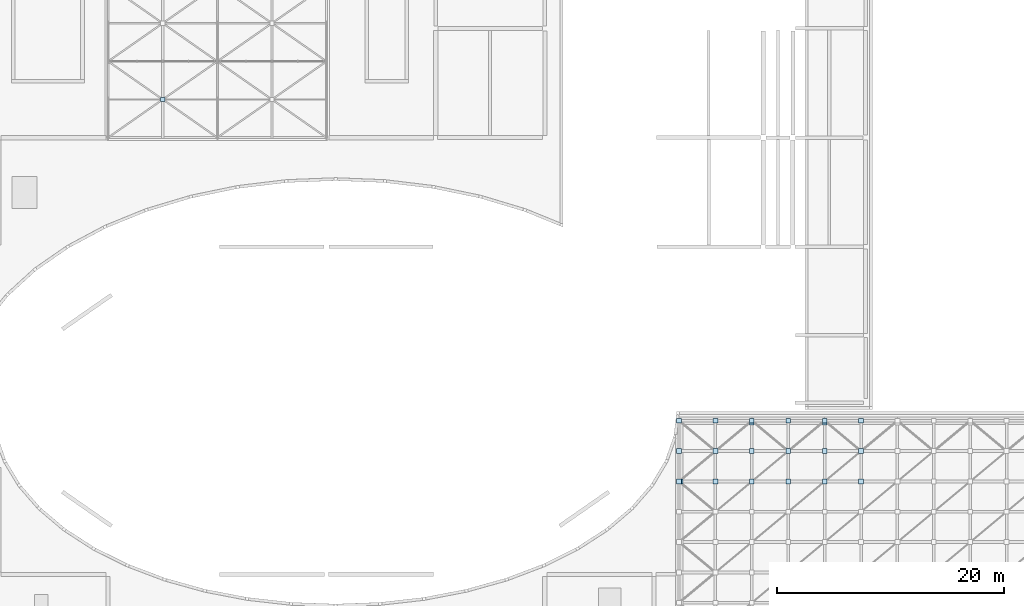
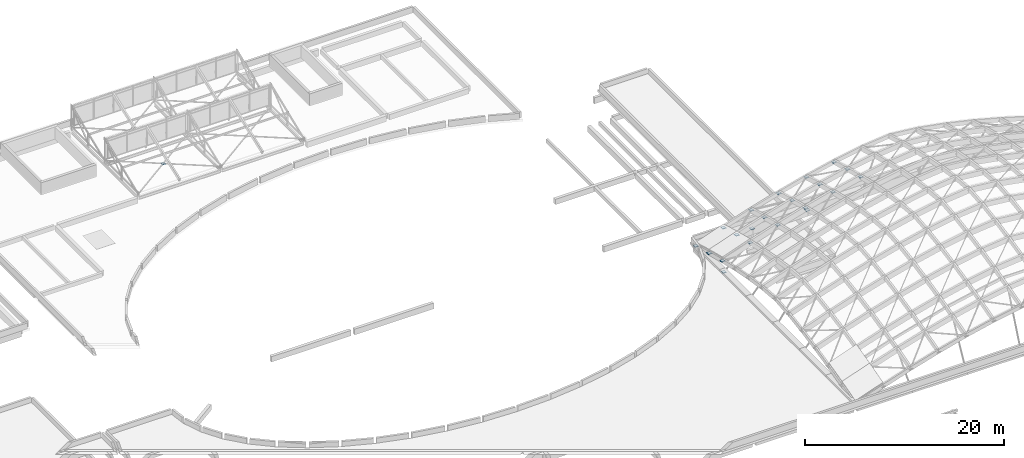
# One storey, part 34 of 40: 22 plates.
"""IFC4 building model written with IfcOpenShell, lengths in metres."""

import ifcopenshell
import ifcopenshell.guid

model = None  # the IFC model being written
_history = None  # IfcOwnerHistory: only IFC2X3 demands one
_inside = {}  # id of a spatial element -> (the spatial element, [elements in it])
_under = {}  # id of a project, library or spatial element -> (it, [spatial elements below it])
_declared = {}  # id of a project -> (the project, [libraries it declares])
_typed = {}  # id of a type object -> (the type object, [elements of that type])
_made_of = {}  # id of a material, layer set ... -> (it, [elements and type objects made of it])


def new_model(schema):
    """Start an empty IFC model of exactly this schema.

    Asked for "IFC4X3", IfcOpenShell would pick the latest addendum, in which some entities
    have other attributes; the version numbers below select the first issue.
    IFC2X3 requires an IfcOwnerHistory on every rooted entity: one is made here for all.
    """
    global model, _history
    if schema == "IFC4X3":
        model = ifcopenshell.file(schema_version=(4, 3, 0, 0))
    else:
        model = ifcopenshell.file(schema=schema)
    _inside.clear()
    _under.clear()
    _declared.clear()
    _typed.clear()
    _made_of.clear()
    _history = None
    if model.schema == "IFC2X3":
        org = make("IfcOrganization", Name="unknown")
        user = make(
            "IfcPersonAndOrganization",
            ThePerson=make("IfcPerson", FamilyName="unknown"),
            TheOrganization=org,
        )
        app = make(
            "IfcApplication",
            ApplicationDeveloper=org,
            Version="unknown",
            ApplicationFullName="unknown",
            ApplicationIdentifier="unknown",
        )
        _history = make(
            "IfcOwnerHistory",
            OwningUser=user,
            OwningApplication=app,
            ChangeAction="ADDED",
            CreationDate=0,
        )
    return model


def make(cls, **values):
    """One entity of the class cls with the attributes given. An attribute that is None is left unset."""
    return model.create_entity(
        cls, **{name: value for name, value in values.items() if value is not None}
    )


def rooted(cls, **values):
    """An entity with a GlobalId (a new one), such as an element, a storey or a relation."""
    return make(cls, GlobalId=ifcopenshell.guid.new(), OwnerHistory=_history, **values)


def si_unit(unit_type, name, prefix=None):
    """IfcSIUnit, for example si_unit("LENGTHUNIT", "METRE", prefix="MILLI")."""
    return make("IfcSIUnit", UnitType=unit_type, Prefix=prefix, Name=name)


def assignment(units):
    """IfcUnitAssignment: the units of a project."""
    return None if units is None else make("IfcUnitAssignment", Units=units)


def point(xyz):
    """IfcCartesianPoint."""
    return None if xyz is None else make("IfcCartesianPoint", Coordinates=xyz)


def direction(xyz):
    """IfcDirection."""
    return None if xyz is None else make("IfcDirection", DirectionRatios=xyz)


def frame(location, z_axis=None, x_axis=None):
    """IfcAxis2Placement3D, a coordinate frame: its origin and axes. An axis left out is left unset."""
    return make(
        "IfcAxis2Placement3D",
        Location=point(location),
        Axis=direction(z_axis),
        RefDirection=direction(x_axis),
    )


def frame_2d(location, x_axis=None):
    """IfcAxis2Placement2D, a coordinate frame in the plane: its origin and x axis."""
    return make(
        "IfcAxis2Placement2D", Location=point(location), RefDirection=direction(x_axis)
    )


def origin():
    """The frame at (0, 0, 0) with its axes left unset."""
    return frame((0.0, 0.0, 0.0))


def origin_2d():
    """The frame at (0, 0) in the plane with its x axis left unset."""
    return frame_2d((0.0, 0.0))


def place(relative_to, where):
    """IfcLocalPlacement: puts the frame where relative to a parent placement (None: the world)."""
    return make(
        "IfcLocalPlacement", PlacementRelTo=relative_to, RelativePlacement=where
    )


def context(
    kind, dimensions, precision=None, world=None, true_north=None, identifier=None
):
    """IfcGeometricRepresentationContext, for example the 3D "Model" context."""
    return make(
        "IfcGeometricRepresentationContext",
        ContextIdentifier=identifier,
        ContextType=kind,
        CoordinateSpaceDimension=dimensions,
        Precision=precision,
        WorldCoordinateSystem=world,
        TrueNorth=true_north,
    )


def subcontext(parent, identifier, kind, view, scale=None):
    """IfcGeometricRepresentationSubContext, for example "Body" below "Model"."""
    return make(
        "IfcGeometricRepresentationSubContext",
        ContextIdentifier=identifier,
        ContextType=kind,
        ParentContext=parent,
        TargetScale=scale,
        TargetView=view,
    )


def project(units=None, contexts=None):
    """IfcProject with its units and contexts."""
    return rooted(
        "IfcProject",
        Name="project",
        RepresentationContexts=contexts,
        UnitsInContext=assignment(units),
    )


def spatial(cls, under=None, at=None, **own):
    """A site, building, storey or space (cls), placed at a placement, below another one or the project."""
    s = rooted(cls, ObjectPlacement=at, **own)
    if under is not None:
        _under.setdefault(under.id(), (under, []))[1].append(s)
    return s


def profile(cls, at=None, kind="AREA", **sizes):
    """A parametric profile (cls). Its sizes go by their IFC names, for example OverallWidth=200.0."""
    return make(cls, ProfileType=kind, Position=at, **sizes)


def rectangle(**sizes):
    """IfcRectangleProfileDef."""
    return profile("IfcRectangleProfileDef", **sizes)


def extrude(swept, where, along, depth):
    """IfcExtrudedAreaSolid: the profile swept, set in the frame where, extruded along a direction by depth."""
    return make(
        "IfcExtrudedAreaSolid",
        SweptArea=swept,
        Position=where,
        ExtrudedDirection=direction(along),
        Depth=depth,
    )


def shape(context_of_items, identifier, shape_type, items):
    """IfcShapeRepresentation: the items that make up one representation, for example the "Body"."""
    return make(
        "IfcShapeRepresentation",
        ContextOfItems=context_of_items,
        RepresentationIdentifier=identifier,
        RepresentationType=shape_type,
        Items=items,
    )


def material(Name=None, Category=None):
    """IfcMaterial."""
    return make("IfcMaterial", Name=Name, Category=Category)


def layer(
    of_material, thickness, ventilated=None, Name=None, Category=None, Priority=None
):
    """IfcMaterialLayer: one layer of a wall or slab, of a material (None: an air gap)."""
    return make(
        "IfcMaterialLayer",
        Material=of_material,
        LayerThickness=thickness,
        IsVentilated=ventilated,
        Name=Name,
        Category=Category,
        Priority=Priority,
    )


def layer_set(layers, Name=None):
    """IfcMaterialLayerSet."""
    return make("IfcMaterialLayerSet", MaterialLayers=layers, LayerSetName=Name)


def made_of(thing, what):
    """Note that an element or type object is made of a material, layer set ...; save() writes the relation."""
    if what is not None:
        _made_of.setdefault(what.id(), (what, []))[1].append(thing)
    return thing


def type_object(cls, material=None, **own):
    """A type object (cls), such as IfcWallType, which elements share."""
    return made_of(rooted(cls, **own), material)


def element(
    cls,
    number,
    at=None,
    inside=None,
    cuts=None,
    type_object=None,
    material=None,
    context=None,
    identifier="Body",
    shape_type=None,
    held_by="IfcProductDefinitionShape",
    body=None,
    shapes=None,
    **own,
):
    """One element of the class cls, such as IfcWall. Its Tag is "e" and its number.

    at: its placement. inside: the storey or other place that contains it. cuts: it is an
    opening in that element (IfcRelVoidsElement). A single representation is given by context,
    identifier, shape_type and body (its items); several are given by shapes. held_by: the class
    of the entity that holds the representations. save() writes the other relations.
    """
    e = rooted(cls, Tag="e%d" % number, ObjectPlacement=at, **own)
    if body is not None:
        shapes = [shape(context, identifier, shape_type, body)]
    if shapes is not None:
        e.Representation = make(held_by, Representations=shapes)
    if inside is not None:
        _inside.setdefault(inside.id(), (inside, []))[1].append(e)
    if cuts is not None:
        rooted(
            "IfcRelVoidsElement", RelatingBuildingElement=cuts, RelatedOpeningElement=e
        )
    if type_object is not None:
        _typed.setdefault(type_object.id(), (type_object, []))[1].append(e)
    return made_of(e, material)


def aggregate(whole, parts):
    """IfcRelAggregates: a whole, such as a stair, and the parts it consists of."""
    return rooted("IfcRelAggregates", RelatingObject=whole, RelatedObjects=parts)


def save(model, path):
    """Write the relations noted so far, then the file.

    IfcRelAggregates (storeys below a building ...), IfcRelContainedInSpatialStructure (elements
    in a storey), IfcRelDefinesByType, IfcRelAssociatesMaterial and IfcRelDeclares: one each for
    every whole, place, type object, material and project.
    """
    for whole, parts in _under.values():
        aggregate(whole, parts)
    for where, things in _inside.values():
        rooted(
            "IfcRelContainedInSpatialStructure",
            RelatedElements=things,
            RelatingStructure=where,
        )
    for kind, things in _typed.values():
        rooted("IfcRelDefinesByType", RelatedObjects=things, RelatingType=kind)
    for what, things in _made_of.values():
        rooted("IfcRelAssociatesMaterial", RelatedObjects=things, RelatingMaterial=what)
    for by, libraries in _declared.values():
        rooted("IfcRelDeclares", RelatingContext=by, RelatedDefinitions=libraries)
    model.write(path)


model = new_model("IFC4")

# Units and contexts
model_context = context("Model", 3, precision=1e-05, world=origin(), true_north=direction((0.0, 1.0)))
body_context = subcontext(model_context, "Body", "Model", "MODEL_VIEW")
ifc_project = project(units=[si_unit("LENGTHUNIT", "METRE"), si_unit("AREAUNIT", "SQUARE_METRE"), si_unit("VOLUMEUNIT", "CUBIC_METRE"), si_unit("PLANEANGLEUNIT", "RADIAN"), si_unit("MASSUNIT", "GRAM", prefix="KILO")], contexts=[model_context])

# Site, building, storey
site_placement = place(None, origin())
site = spatial("IfcSite", under=ifc_project, at=site_placement, CompositionType="ELEMENT")
building_placement = place(site_placement, origin())
building = spatial("IfcBuilding", under=site, at=building_placement, Name="Mzevani Central Library", CompositionType="ELEMENT")
storey_placement = place(building_placement, frame((0.0, 0.0, 26.699951171875)))
storey = spatial("IfcBuildingStorey", under=building, at=storey_placement, Name="RF", CompositionType="ELEMENT", Elevation=26.699951171875)

# Plates
ifc_material = material(Name="Steel S355J2", Category="steel")
ifc_layer_1 = layer(ifc_material, 0.02001953125, Name="Gridshell Hub Gusset Plate 20")
ifc_layer_set_1 = layer_set([ifc_layer_1], Name="Steel S355J2")
plate_type_1 = type_object("IfcPlateType", Name="Gridshell Hub Gusset Plate 20", PredefinedType="SHEET", material=ifc_layer_set_1)
for number, where, z_axis, x_axis, name in (
    (1, (114.199951171875, 69.7666015625, -11.53759765625), (0.0, 0.0, 1.0), (1.0, 0.0, 0.0), "RF Gridshell Hub Gusset Node 1.11"),
    (2, (114.199951171875, 72.433349609375, -12.216552734375), (0.0, 0.0, 1.0), (1.0, 0.0, 0.0), "RF Gridshell Hub Gusset Node 1.12"),
    (3, (114.199951171875, 75.10009765625, -12.9599609375), (0.0, 0.0, 1.0), (1.0, 0.0, 0.0), "RF Gridshell Hub Gusset Node 1.13"),
    (4, (117.39990234375, 69.7666015625, -10.415771484375), (0.0, 0.0, 1.0), (1.0, 0.0, 0.0), "RF Gridshell Hub Gusset Node 2.11"),
    (5, (117.39990234375, 72.433349609375, -11.094970703125), (0.0, 0.0, 1.0), (1.0, 0.0, 0.0), "RF Gridshell Hub Gusset Node 2.12"),
    (6, (117.39990234375, 75.10009765625, -11.83837890625), (0.0, 0.0, 1.0), (1.0, 0.0, 0.0), "RF Gridshell Hub Gusset Node 2.13"),
    (7, (120.60009765625, 69.7666015625, -9.37548828125), (0.0, 0.0, 1.0), (1.0, 0.0, 0.0), "RF Gridshell Hub Gusset Node 3.11"),
    (8, (120.60009765625, 72.433349609375, -10.054443359375), (0.0, 0.0, 1.0), (1.0, 0.0, 0.0), "RF Gridshell Hub Gusset Node 3.12"),
    (9, (120.60009765625, 75.10009765625, -10.7978515625), (0.0, 0.0, 1.0), (1.0, 0.0, 0.0), "RF Gridshell Hub Gusset Node 3.13"),
    (10, (123.800048828125, 69.7666015625, -8.425048828125), (0.0, 0.0, 1.0), (1.0, 0.0, 0.0), "RF Gridshell Hub Gusset Node 4.11"),
    (11, (123.800048828125, 72.433349609375, -9.104248046875), (0.0, 0.0, 1.0), (1.0, 0.0, 0.0), "RF Gridshell Hub Gusset Node 4.12"),
    (12, (123.800048828125, 75.10009765625, -9.84765625), (0.0, 0.0, 1.0), (1.0, 0.0, 0.0), "RF Gridshell Hub Gusset Node 4.13"),
    (13, (127.0, 69.7666015625, -7.57666015625), (0.0, 0.0, 1.0), (1.0, 0.0, 0.0), "RF Gridshell Hub Gusset Node 5.11"),
    (14, (127.0, 72.433349609375, -8.255859375), (0.0, 0.0, 1.0), (1.0, 0.0, 0.0), "RF Gridshell Hub Gusset Node 5.12"),
    (15, (127.0, 75.10009765625, -8.9990234375), (0.0, 0.0, 1.0), (1.0, 0.0, 0.0), "RF Gridshell Hub Gusset Node 5.13"),
    (16, (130.199951171875, 69.7666015625, -6.847900390625), (0.0, 0.0, 1.0), (1.0, 0.0, 0.0), "RF Gridshell Hub Gusset Node 6.11"),
    (17, (130.199951171875, 72.433349609375, -7.527099609375), (0.0, 0.0, 1.0), (1.0, 0.0, 0.0), "RF Gridshell Hub Gusset Node 6.12"),
    (18, (130.199951171875, 75.10009765625, -8.2705078125), (0.0, 0.0, 1.0), (1.0, 0.0, 0.0), "RF Gridshell Hub Gusset Node 6.13"),
    (19, (120.60009765625, 74.949951171875, -12.9599609375), (0.0, 0.0, 1.0), (1.0, 0.0, 0.0), "RF Gridshell Raker Base Shoe Plate N.1"),
    (20, (127.0, 74.949951171875, -12.9599609375), (0.0, 0.0, 1.0), (1.0, 0.0, 0.0), "RF Gridshell Raker Base Shoe Plate N.2"),
    (21, (114.35009765625, 69.7666015625, -12.9599609375), (0.0, 0.0, 1.0), (1.0, 0.0, 0.0), "RF Gridshell Raker Base Shoe Plate W.5"),
):
    element("IfcPlate", number, at=place(storey_placement, frame(where, z_axis=z_axis, x_axis=x_axis)), inside=storey, type_object=plate_type_1, Name=name, PredefinedType="SHEET", context=body_context, shape_type="SweptSolid", body=[
        extrude(rectangle(XDim=0.419921875, YDim=0.419921875, at=origin_2d()), origin(), (0.0, 0.0, 1.0), 0.02001953125),
    ])
ifc_layer_2 = layer(ifc_material, 0.035888671875, Name="Truss Splice Flange Plate 36")
ifc_layer_set_2 = layer_set([ifc_layer_2], Name="Steel S355J2")
plate_type_2 = type_object("IfcPlateType", Name="Truss Splice Flange Plate 36", PredefinedType="USERDEFINED", material=ifc_layer_set_2)
plate_placement = place(storey_placement, frame((68.800048828125, 103.35009765625, -4.11767578125), z_axis=(0.0, 0.0, 1.0), x_axis=(1.0, 0.0, 0.0)))
element("IfcPlate", 22, at=plate_placement, inside=storey, type_object=plate_type_2, Name="RF Sawtooth Plan X-Brace Crossing Gusset 1.64", ObjectType="SPLICE PLATE", PredefinedType="USERDEFINED", context=body_context, shape_type="SweptSolid", body=[
    extrude(rectangle(XDim=0.3798828125, YDim=0.3798828125, at=origin_2d()), origin(), (0.0, 0.0, 1.0), 0.035888671875),
])

save(model, "model.ifc")
